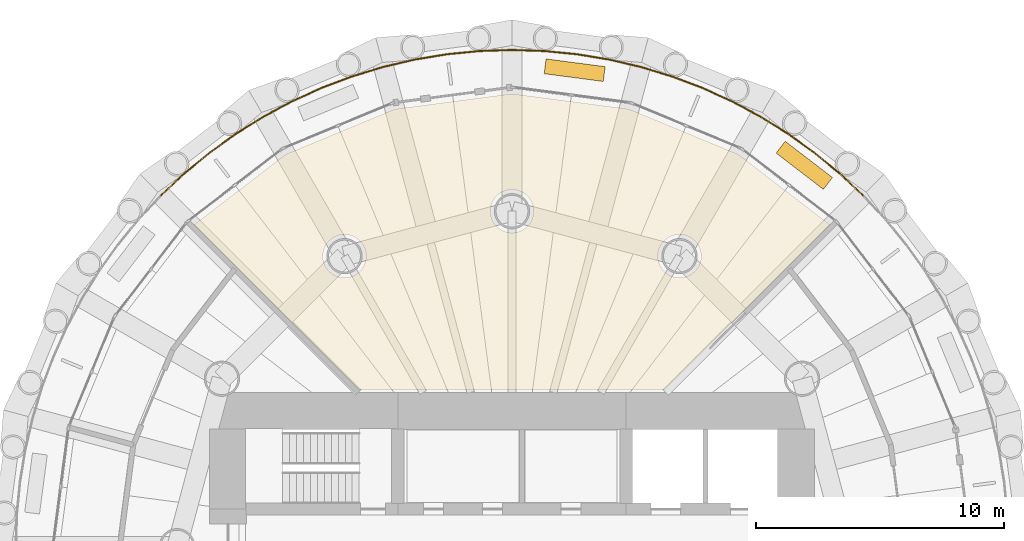
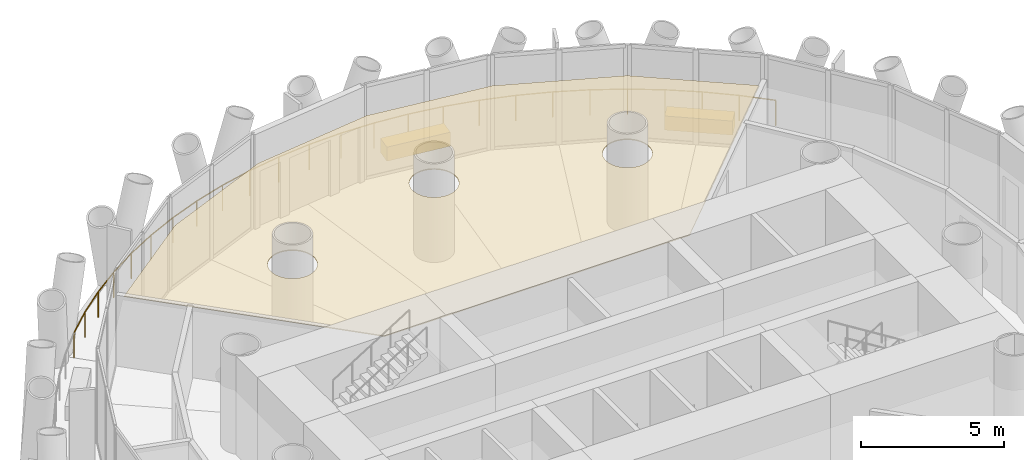
# One storey, part 12 of 12: 3 coverings, 1 railing.
"""IFC4 building model written with IfcOpenShell, lengths in metres."""

import ifcopenshell
import ifcopenshell.guid

model = None  # the IFC model being written
_history = None  # IfcOwnerHistory: only IFC2X3 demands one
_inside = {}  # id of a spatial element -> (the spatial element, [elements in it])
_under = {}  # id of a project, library or spatial element -> (it, [spatial elements below it])
_declared = {}  # id of a project -> (the project, [libraries it declares])
_typed = {}  # id of a type object -> (the type object, [elements of that type])
_made_of = {}  # id of a material, layer set ... -> (it, [elements and type objects made of it])


def new_model(schema):
    """Start an empty IFC model of exactly this schema.

    Asked for "IFC4X3", IfcOpenShell would pick the latest addendum, in which some entities
    have other attributes; the version numbers below select the first issue.
    IFC2X3 requires an IfcOwnerHistory on every rooted entity: one is made here for all.
    """
    global model, _history
    if schema == "IFC4X3":
        model = ifcopenshell.file(schema_version=(4, 3, 0, 0))
    else:
        model = ifcopenshell.file(schema=schema)
    _inside.clear()
    _under.clear()
    _declared.clear()
    _typed.clear()
    _made_of.clear()
    _history = None
    if model.schema == "IFC2X3":
        org = make("IfcOrganization", Name="unknown")
        user = make(
            "IfcPersonAndOrganization",
            ThePerson=make("IfcPerson", FamilyName="unknown"),
            TheOrganization=org,
        )
        app = make(
            "IfcApplication",
            ApplicationDeveloper=org,
            Version="unknown",
            ApplicationFullName="unknown",
            ApplicationIdentifier="unknown",
        )
        _history = make(
            "IfcOwnerHistory",
            OwningUser=user,
            OwningApplication=app,
            ChangeAction="ADDED",
            CreationDate=0,
        )
    return model


def make(cls, **values):
    """One entity of the class cls with the attributes given. An attribute that is None is left unset."""
    return model.create_entity(
        cls, **{name: value for name, value in values.items() if value is not None}
    )


def rooted(cls, **values):
    """An entity with a GlobalId (a new one), such as an element, a storey or a relation."""
    return make(cls, GlobalId=ifcopenshell.guid.new(), OwnerHistory=_history, **values)


def si_unit(unit_type, name, prefix=None):
    """IfcSIUnit, for example si_unit("LENGTHUNIT", "METRE", prefix="MILLI")."""
    return make("IfcSIUnit", UnitType=unit_type, Prefix=prefix, Name=name)


def assignment(units):
    """IfcUnitAssignment: the units of a project."""
    return None if units is None else make("IfcUnitAssignment", Units=units)


def point(xyz):
    """IfcCartesianPoint."""
    return None if xyz is None else make("IfcCartesianPoint", Coordinates=xyz)


def direction(xyz):
    """IfcDirection."""
    return None if xyz is None else make("IfcDirection", DirectionRatios=xyz)


def frame(location, z_axis=None, x_axis=None):
    """IfcAxis2Placement3D, a coordinate frame: its origin and axes. An axis left out is left unset."""
    return make(
        "IfcAxis2Placement3D",
        Location=point(location),
        Axis=direction(z_axis),
        RefDirection=direction(x_axis),
    )


def frame_2d(location, x_axis=None):
    """IfcAxis2Placement2D, a coordinate frame in the plane: its origin and x axis."""
    return make(
        "IfcAxis2Placement2D", Location=point(location), RefDirection=direction(x_axis)
    )


def origin():
    """The frame at (0, 0, 0) with its axes left unset."""
    return frame((0.0, 0.0, 0.0))


def origin_2d():
    """The frame at (0, 0) in the plane with its x axis left unset."""
    return frame_2d((0.0, 0.0))


def place(relative_to, where):
    """IfcLocalPlacement: puts the frame where relative to a parent placement (None: the world)."""
    return make(
        "IfcLocalPlacement", PlacementRelTo=relative_to, RelativePlacement=where
    )


def context(
    kind, dimensions, precision=None, world=None, true_north=None, identifier=None
):
    """IfcGeometricRepresentationContext, for example the 3D "Model" context."""
    return make(
        "IfcGeometricRepresentationContext",
        ContextIdentifier=identifier,
        ContextType=kind,
        CoordinateSpaceDimension=dimensions,
        Precision=precision,
        WorldCoordinateSystem=world,
        TrueNorth=true_north,
    )


def subcontext(parent, identifier, kind, view, scale=None):
    """IfcGeometricRepresentationSubContext, for example "Body" below "Model"."""
    return make(
        "IfcGeometricRepresentationSubContext",
        ContextIdentifier=identifier,
        ContextType=kind,
        ParentContext=parent,
        TargetScale=scale,
        TargetView=view,
    )


def project(units=None, contexts=None):
    """IfcProject with its units and contexts."""
    return rooted(
        "IfcProject",
        Name="project",
        RepresentationContexts=contexts,
        UnitsInContext=assignment(units),
    )


def spatial(cls, under=None, at=None, **own):
    """A site, building, storey or space (cls), placed at a placement, below another one or the project."""
    s = rooted(cls, ObjectPlacement=at, **own)
    if under is not None:
        _under.setdefault(under.id(), (under, []))[1].append(s)
    return s


def polyline(points):
    """IfcPolyline through the points."""
    return make("IfcPolyline", Points=[point(p) for p in points])


def profile(cls, at=None, kind="AREA", **sizes):
    """A parametric profile (cls). Its sizes go by their IFC names, for example OverallWidth=200.0."""
    return make(cls, ProfileType=kind, Position=at, **sizes)


def rectangle(**sizes):
    """IfcRectangleProfileDef."""
    return profile("IfcRectangleProfileDef", **sizes)


def circle(**sizes):
    """IfcCircleProfileDef."""
    return profile("IfcCircleProfileDef", **sizes)


def outline(outer, holes=None, kind="AREA"):
    """IfcArbitraryClosedProfileDef: a profile drawn as a closed curve; with holes, ...WithVoids."""
    if holes is None:
        return make("IfcArbitraryClosedProfileDef", ProfileType=kind, OuterCurve=outer)
    return make(
        "IfcArbitraryProfileDefWithVoids",
        ProfileType=kind,
        OuterCurve=outer,
        InnerCurves=holes,
    )


def extrude(swept, where, along, depth):
    """IfcExtrudedAreaSolid: the profile swept, set in the frame where, extruded along a direction by depth."""
    return make(
        "IfcExtrudedAreaSolid",
        SweptArea=swept,
        Position=where,
        ExtrudedDirection=direction(along),
        Depth=depth,
    )


def shape(context_of_items, identifier, shape_type, items):
    """IfcShapeRepresentation: the items that make up one representation, for example the "Body"."""
    return make(
        "IfcShapeRepresentation",
        ContextOfItems=context_of_items,
        RepresentationIdentifier=identifier,
        RepresentationType=shape_type,
        Items=items,
    )


def material(Name=None, Category=None):
    """IfcMaterial."""
    return make("IfcMaterial", Name=Name, Category=Category)


def layer(
    of_material, thickness, ventilated=None, Name=None, Category=None, Priority=None
):
    """IfcMaterialLayer: one layer of a wall or slab, of a material (None: an air gap)."""
    return make(
        "IfcMaterialLayer",
        Material=of_material,
        LayerThickness=thickness,
        IsVentilated=ventilated,
        Name=Name,
        Category=Category,
        Priority=Priority,
    )


def layer_set(layers, Name=None):
    """IfcMaterialLayerSet."""
    return make("IfcMaterialLayerSet", MaterialLayers=layers, LayerSetName=Name)


def made_of(thing, what):
    """Note that an element or type object is made of a material, layer set ...; save() writes the relation."""
    if what is not None:
        _made_of.setdefault(what.id(), (what, []))[1].append(thing)
    return thing


def type_object(cls, material=None, **own):
    """A type object (cls), such as IfcWallType, which elements share."""
    return made_of(rooted(cls, **own), material)


def element(
    cls,
    number,
    at=None,
    inside=None,
    cuts=None,
    type_object=None,
    material=None,
    context=None,
    identifier="Body",
    shape_type=None,
    held_by="IfcProductDefinitionShape",
    body=None,
    shapes=None,
    **own,
):
    """One element of the class cls, such as IfcWall. Its Tag is "e" and its number.

    at: its placement. inside: the storey or other place that contains it. cuts: it is an
    opening in that element (IfcRelVoidsElement). A single representation is given by context,
    identifier, shape_type and body (its items); several are given by shapes. held_by: the class
    of the entity that holds the representations. save() writes the other relations.
    """
    e = rooted(cls, Tag="e%d" % number, ObjectPlacement=at, **own)
    if body is not None:
        shapes = [shape(context, identifier, shape_type, body)]
    if shapes is not None:
        e.Representation = make(held_by, Representations=shapes)
    if inside is not None:
        _inside.setdefault(inside.id(), (inside, []))[1].append(e)
    if cuts is not None:
        rooted(
            "IfcRelVoidsElement", RelatingBuildingElement=cuts, RelatedOpeningElement=e
        )
    if type_object is not None:
        _typed.setdefault(type_object.id(), (type_object, []))[1].append(e)
    return made_of(e, material)


def aggregate(whole, parts):
    """IfcRelAggregates: a whole, such as a stair, and the parts it consists of."""
    return rooted("IfcRelAggregates", RelatingObject=whole, RelatedObjects=parts)


def save(model, path):
    """Write the relations noted so far, then the file.

    IfcRelAggregates (storeys below a building ...), IfcRelContainedInSpatialStructure (elements
    in a storey), IfcRelDefinesByType, IfcRelAssociatesMaterial and IfcRelDeclares: one each for
    every whole, place, type object, material and project.
    """
    for whole, parts in _under.values():
        aggregate(whole, parts)
    for where, things in _inside.values():
        rooted(
            "IfcRelContainedInSpatialStructure",
            RelatedElements=things,
            RelatingStructure=where,
        )
    for kind, things in _typed.values():
        rooted("IfcRelDefinesByType", RelatedObjects=things, RelatingType=kind)
    for what, things in _made_of.values():
        rooted("IfcRelAssociatesMaterial", RelatedObjects=things, RelatingMaterial=what)
    for by, libraries in _declared.values():
        rooted("IfcRelDeclares", RelatingContext=by, RelatedDefinitions=libraries)
    model.write(path)


model = new_model("IFC4")

# Units and contexts
model_context = context("Model", 3, precision=1e-05, world=origin(), true_north=direction((0.0, 1.0)))
body_context = subcontext(model_context, "Body", "Model", "MODEL_VIEW")
ifc_project = project(units=[si_unit("LENGTHUNIT", "METRE"), si_unit("AREAUNIT", "SQUARE_METRE"), si_unit("VOLUMEUNIT", "CUBIC_METRE"), si_unit("PLANEANGLEUNIT", "RADIAN"), si_unit("MASSUNIT", "GRAM", prefix="KILO")], contexts=[model_context])

# Site, building, storey
site_placement = place(None, origin())
site = spatial("IfcSite", under=ifc_project, at=site_placement, CompositionType="ELEMENT")
building_placement = place(site_placement, origin())
building = spatial("IfcBuilding", under=site, at=building_placement, Name="Qaws Media Tower", CompositionType="ELEMENT")
storey_placement = place(building_placement, frame((0.0, 0.0, 278.0)))
storey = spatial("IfcBuildingStorey", under=building, at=storey_placement, Name="L64", CompositionType="ELEMENT", Elevation=278.0)

# Covering
ifc_material_1 = material(Name="40 perforated acoustic panels with mineral wool backing, suspended", Category="mineral fibre")
ifc_layer_1 = layer(ifc_material_1, 0.0400390625)
ifc_layer_set_1 = layer_set([ifc_layer_1], Name="Acoustic panel ceiling 40")
covering_type_1 = type_object("IfcCoveringType", Name="Acoustic panel ceiling 40", PredefinedType="CEILING", material=ifc_layer_set_1)
covering_placement = place(storey_placement, frame((0.0, 0.0, 2.85009765625)))
element("IfcCovering", 1, at=covering_placement, inside=storey, type_object=covering_type_1, Name="CL3 ceiling L64-03 Executive dining room", PredefinedType="CEILING", context=body_context, shape_type="SweptSolid", body=[
    extrude(outline(polyline([(50.88232421875, 65.792236328125), (55.280517578125, 67.614013671875), (60.0, 68.235107421875), (64.719482421875, 67.614013671875), (69.11767578125, 65.792236328125), (72.80419921875, 62.96337890625), (66.1533203125, 56.3125), (53.8466796875, 56.3125), (47.19580078125, 62.96337890625), (50.88232421875, 65.792236328125)]), holes=[polyline([(54.0546875, 61.35791015625), (54.09130859375, 61.4658203125), (54.113525390625, 61.57763671875), (54.12109375, 61.69140625), (54.113525390625, 61.804931640625), (54.09130859375, 61.916748046875), (54.0546875, 62.024658203125), (54.00439453125, 62.126708984375), (53.94091796875, 62.2216796875), (53.865966796875, 62.30712890625), (53.7802734375, 62.38232421875), (53.685546875, 62.44580078125), (53.583251953125, 62.49609375), (53.475341796875, 62.53271484375), (53.36376953125, 62.554931640625), (53.25, 62.562255859375), (53.13623046875, 62.554931640625), (53.024658203125, 62.53271484375), (52.916748046875, 62.49609375), (52.814453125, 62.44580078125), (52.7197265625, 62.38232421875), (52.634033203125, 62.30712890625), (52.55908203125, 62.2216796875), (52.49560546875, 62.126708984375), (52.4453125, 62.024658203125), (52.40869140625, 61.916748046875), (52.386474609375, 61.804931640625), (52.37890625, 61.69140625), (52.386474609375, 61.57763671875), (52.40869140625, 61.4658203125), (52.4453125, 61.35791015625), (52.49560546875, 61.255859375), (52.55908203125, 61.1611328125), (52.634033203125, 61.075439453125), (52.7197265625, 61.000244140625), (52.814453125, 60.93701171875), (52.916748046875, 60.88671875), (53.024658203125, 60.85009765625), (53.13623046875, 60.827880859375), (53.25, 60.8203125), (53.36376953125, 60.827880859375), (53.475341796875, 60.85009765625), (53.583251953125, 60.88671875), (53.685546875, 60.93701171875), (53.7802734375, 61.000244140625), (53.865966796875, 61.075439453125), (53.94091796875, 61.1611328125), (54.00439453125, 61.255859375), (54.0546875, 61.35791015625)]), polyline([(60.8046875, 63.166748046875), (60.84130859375, 63.274658203125), (60.863525390625, 63.38623046875), (60.87109375, 63.5), (60.863525390625, 63.61376953125), (60.84130859375, 63.725341796875), (60.8046875, 63.833251953125), (60.75439453125, 63.935546875), (60.69091796875, 64.0302734375), (60.615966796875, 64.115966796875), (60.5302734375, 64.19091796875), (60.435546875, 64.25439453125), (60.333251953125, 64.3046875), (60.225341796875, 64.34130859375), (60.11376953125, 64.363525390625), (60.0, 64.37109375), (59.88623046875, 64.363525390625), (59.774658203125, 64.34130859375), (59.666748046875, 64.3046875), (59.564453125, 64.25439453125), (59.4697265625, 64.19091796875), (59.384033203125, 64.115966796875), (59.30908203125, 64.0302734375), (59.24560546875, 63.935546875), (59.1953125, 63.833251953125), (59.15869140625, 63.725341796875), (59.136474609375, 63.61376953125), (59.12890625, 63.5), (59.136474609375, 63.38623046875), (59.15869140625, 63.274658203125), (59.1953125, 63.166748046875), (59.24560546875, 63.064453125), (59.30908203125, 62.9697265625), (59.384033203125, 62.884033203125), (59.4697265625, 62.80908203125), (59.564453125, 62.74560546875), (59.666748046875, 62.6953125), (59.774658203125, 62.65869140625), (59.88623046875, 62.636474609375), (60.0, 62.62890625), (60.11376953125, 62.636474609375), (60.225341796875, 62.65869140625), (60.333251953125, 62.6953125), (60.435546875, 62.74560546875), (60.5302734375, 62.80908203125), (60.615966796875, 62.884033203125), (60.69091796875, 62.9697265625), (60.75439453125, 63.064453125), (60.8046875, 63.166748046875)]), polyline([(67.5546875, 61.35791015625), (67.59130859375, 61.4658203125), (67.613525390625, 61.57763671875), (67.62109375, 61.69140625), (67.613525390625, 61.804931640625), (67.59130859375, 61.916748046875), (67.5546875, 62.024658203125), (67.50439453125, 62.126708984375), (67.44091796875, 62.2216796875), (67.365966796875, 62.30712890625), (67.2802734375, 62.38232421875), (67.185546875, 62.44580078125), (67.083251953125, 62.49609375), (66.975341796875, 62.53271484375), (66.86376953125, 62.554931640625), (66.75, 62.562255859375), (66.63623046875, 62.554931640625), (66.524658203125, 62.53271484375), (66.416748046875, 62.49609375), (66.314453125, 62.44580078125), (66.2197265625, 62.38232421875), (66.134033203125, 62.30712890625), (66.05908203125, 62.2216796875), (65.99560546875, 62.126708984375), (65.9453125, 62.024658203125), (65.90869140625, 61.916748046875), (65.886474609375, 61.804931640625), (65.87890625, 61.69140625), (65.886474609375, 61.57763671875), (65.90869140625, 61.4658203125), (65.9453125, 61.35791015625), (65.99560546875, 61.255859375), (66.05908203125, 61.1611328125), (66.134033203125, 61.075439453125), (66.2197265625, 61.000244140625), (66.314453125, 60.93701171875), (66.416748046875, 60.88671875), (66.524658203125, 60.85009765625), (66.63623046875, 60.827880859375), (66.75, 60.8203125), (66.86376953125, 60.827880859375), (66.975341796875, 60.85009765625), (67.083251953125, 60.88671875), (67.185546875, 60.93701171875), (67.2802734375, 61.000244140625), (67.365966796875, 61.075439453125), (67.44091796875, 61.1611328125), (67.50439453125, 61.255859375), (67.5546875, 61.35791015625)])]), origin(), (0.0, 0.0, 1.0), 0.039794921875),
])

# Railing
ifc_material_2 = material(Name="Stainless steel and glass guard", Category="steel")
railing_type = type_object("IfcRailingType", Name="Balcony guard 1100", PredefinedType="GUARDRAIL", material=ifc_material_2)
railing_placement = place(storey_placement, frame((74.14208984375, 64.14208984375, 0.0)))
element("IfcRailing", 2, at=railing_placement, inside=storey, type_object=railing_type, Name="GR1 balcony guard L64-1", PredefinedType="GUARDRAIL", context=body_context, shape_type="SweptSolid", body=[
    extrude(circle(Radius=0.02392578125, at=origin_2d()), frame((0.0, 0.0, 1.076171875), z_axis=(-0.729769860237, 0.683692877753, 0.0), x_axis=(-0.683692877753, -0.729769860237, 0.0)), (0.0, 0.0, 1.0), 1.308837890625),
    extrude(circle(Radius=0.02392578125, at=origin_2d()), frame((-0.955078125, 0.894775390625, 1.076171875), z_axis=(-0.773000657102, 0.634405220754, 0.0), x_axis=(-0.634405220754, -0.773000657102, 0.0)), (0.0, 0.0, 1.0), 1.308837890625),
    extrude(circle(Radius=0.02392578125, at=origin_2d()), frame((-1.966796875, 1.72509765625, 1.076171875), z_axis=(-0.812926043281, 0.582366936008, 0.0), x_axis=(-0.582366936008, -0.812926043281, 0.0)), (0.0, 0.0, 1.0), 1.308837890625),
    extrude(circle(Radius=0.02392578125, at=origin_2d()), frame((-3.03076171875, 2.4873046875, 1.076171875), z_axis=(-0.849170014358, 0.528119576153, 0.0), x_axis=(-0.528119576153, -0.849170014358, 0.0)), (0.0, 0.0, 1.0), 1.308837890625),
    extrude(circle(Radius=0.02392578125, at=origin_2d()), frame((-4.14208984375, 3.178466796875, 1.076171875), z_axis=(-0.881934342677, 0.471372268178, 0.0), x_axis=(-0.471372268178, -0.881934342677, 0.0)), (0.0, 0.0, 1.0), 1.308837890625),
    extrude(circle(Radius=0.02392578125, at=origin_2d()), frame((-5.29638671875, 3.79541015625, 1.076171875), z_axis=(-0.910895975938, 0.412636063644, 0.0), x_axis=(-0.412636063644, -0.910895975938, 0.0)), (0.0, 0.0, 1.0), 1.308837890625),
    extrude(circle(Radius=0.02392578125, at=origin_2d()), frame((-6.488525390625, 4.33544921875, 1.076171875), z_axis=(-0.935860724756, 0.352370123393, 0.0), x_axis=(-0.352370123393, -0.935860724756, 0.0)), (0.0, 0.0, 1.0), 1.308837890625),
    extrude(circle(Radius=0.02392578125, at=origin_2d()), frame((-7.71337890625, 4.796630859375, 1.076171875), z_axis=(-0.95694906595, 0.290255896027, 0.0), x_axis=(-0.290255896027, -0.95694906595, 0.0)), (0.0, 0.0, 1.0), 1.308837890625),
    extrude(circle(Radius=0.02392578125, at=origin_2d()), frame((-8.9658203125, 5.176513671875, 1.076171875), z_axis=(-0.973882478368, 0.227052677428, 0.0), x_axis=(-0.227052677428, -0.973882478368, 0.0)), (0.0, 0.0, 1.0), 1.30859375),
    extrude(circle(Radius=0.02392578125, at=origin_2d()), frame((-10.240234375, 5.4736328125, 1.076171875), z_axis=(-0.986649850374, 0.162855987782, 0.0), x_axis=(-0.162855987782, -0.986649850374, 0.0)), (0.0, 0.0, 1.0), 1.308837890625),
    extrude(circle(Radius=0.02392578125, at=origin_2d()), frame((-11.531494140625, 5.686767578125, 1.076171875), z_axis=(-0.995174743622, 0.098118447075, 0.0), x_axis=(-0.098118447075, -0.995174743622, 0.0)), (0.0, 0.0, 1.0), 1.308837890625),
    extrude(circle(Radius=0.02392578125, at=origin_2d()), frame((-12.833984375, 5.815185546875, 1.076171875), z_axis=(-0.999467041511, 0.032644033644, 0.0), x_axis=(-0.032644033644, -0.999467041511, 0.0)), (0.0, 0.0, 1.0), 1.308837890625),
    extrude(circle(Radius=0.02392578125, at=origin_2d()), frame((-14.14208984375, 5.85791015625, 1.076171875), z_axis=(-0.999467041511, -0.032644033644, 0.0), x_axis=(0.032644033644, -0.999467041511, 0.0)), (0.0, 0.0, 1.0), 1.308837890625),
    extrude(circle(Radius=0.02392578125, at=origin_2d()), frame((-15.4501953125, 5.815185546875, 1.076171875), z_axis=(-0.995174743622, -0.098118447075, 0.0), x_axis=(0.098118447075, -0.995174743622, 0.0)), (0.0, 0.0, 1.0), 1.308837890625),
    extrude(circle(Radius=0.02392578125, at=origin_2d()), frame((-16.752685546875, 5.686767578125, 1.076171875), z_axis=(-0.986649850374, -0.162855987782, 0.0), x_axis=(0.162855987782, -0.986649850374, 0.0)), (0.0, 0.0, 1.0), 1.308837890625),
    extrude(circle(Radius=0.02392578125, at=origin_2d()), frame((-18.0439453125, 5.4736328125, 1.076171875), z_axis=(-0.973882478368, -0.227052677428, 0.0), x_axis=(0.227052677428, -0.973882478368, 0.0)), (0.0, 0.0, 1.0), 1.30859375),
    extrude(circle(Radius=0.02392578125, at=origin_2d()), frame((-19.318359375, 5.176513671875, 1.076171875), z_axis=(-0.95694906595, -0.290255896027, 0.0), x_axis=(0.290255896027, -0.95694906595, 0.0)), (0.0, 0.0, 1.0), 1.308837890625),
    extrude(circle(Radius=0.02392578125, at=origin_2d()), frame((-20.57080078125, 4.796630859375, 1.076171875), z_axis=(-0.935860724756, -0.352370123393, 0.0), x_axis=(0.352370123393, -0.935860724756, 0.0)), (0.0, 0.0, 1.0), 1.308837890625),
    extrude(circle(Radius=0.02392578125, at=origin_2d()), frame((-21.795654296875, 4.33544921875, 1.076171875), z_axis=(-0.910895975938, -0.412636063644, 0.0), x_axis=(0.412636063644, -0.910895975938, 0.0)), (0.0, 0.0, 1.0), 1.308837890625),
    extrude(circle(Radius=0.02392578125, at=origin_2d()), frame((-22.98779296875, 3.79541015625, 1.076171875), z_axis=(-0.881934342677, -0.471372268178, 0.0), x_axis=(0.471372268178, -0.881934342677, 0.0)), (0.0, 0.0, 1.0), 1.308837890625),
    extrude(circle(Radius=0.02392578125, at=origin_2d()), frame((-24.14208984375, 3.178466796875, 1.076171875), z_axis=(-0.849170014358, -0.528119576153, 0.0), x_axis=(0.528119576153, -0.849170014358, 0.0)), (0.0, 0.0, 1.0), 1.308837890625),
    extrude(circle(Radius=0.02392578125, at=origin_2d()), frame((-25.25341796875, 2.4873046875, 1.076171875), z_axis=(-0.812926043281, -0.582366936008, 0.0), x_axis=(0.582366936008, -0.812926043281, 0.0)), (0.0, 0.0, 1.0), 1.308837890625),
    extrude(circle(Radius=0.02392578125, at=origin_2d()), frame((-26.3173828125, 1.72509765625, 1.076171875), z_axis=(-0.773000657102, -0.634405220754, 0.0), x_axis=(0.634405220754, -0.773000657102, 0.0)), (0.0, 0.0, 1.0), 1.308837890625),
    extrude(circle(Radius=0.02392578125, at=origin_2d()), frame((-27.3291015625, 0.894775390625, 1.076171875), z_axis=(-0.729769860237, -0.683692877753, 0.0), x_axis=(0.683692877753, -0.729769860237, 0.0)), (0.0, 0.0, 1.0), 1.308837890625),
    extrude(circle(Radius=0.02099609375, at=origin_2d()), origin(), (0.0, 0.0, 1.0), 1.052001953125),
    extrude(circle(Radius=0.02099609375, at=origin_2d()), frame((-0.955078125, 0.894775390625, 0.0)), (0.0, 0.0, 1.0), 1.052001953125),
    extrude(circle(Radius=0.02099609375, at=origin_2d()), frame((-1.966796875, 1.72509765625, 0.0)), (0.0, 0.0, 1.0), 1.052001953125),
    extrude(circle(Radius=0.02099609375, at=origin_2d()), frame((-3.03076171875, 2.4873046875, 0.0)), (0.0, 0.0, 1.0), 1.052001953125),
    extrude(circle(Radius=0.02099609375, at=origin_2d()), frame((-4.14208984375, 3.178466796875, 0.0)), (0.0, 0.0, 1.0), 1.052001953125),
    extrude(circle(Radius=0.02099609375, at=origin_2d()), frame((-5.29638671875, 3.79541015625, 0.0)), (0.0, 0.0, 1.0), 1.052001953125),
    extrude(circle(Radius=0.02099609375, at=origin_2d()), frame((-6.488525390625, 4.33544921875, 0.0)), (0.0, 0.0, 1.0), 1.052001953125),
    extrude(circle(Radius=0.02099609375, at=origin_2d()), frame((-7.71337890625, 4.796630859375, 0.0)), (0.0, 0.0, 1.0), 1.052001953125),
    extrude(circle(Radius=0.02099609375, at=origin_2d()), frame((-8.9658203125, 5.176513671875, 0.0)), (0.0, 0.0, 1.0), 1.052001953125),
    extrude(circle(Radius=0.02099609375, at=origin_2d()), frame((-10.240234375, 5.4736328125, 0.0)), (0.0, 0.0, 1.0), 1.052001953125),
    extrude(circle(Radius=0.02099609375, at=origin_2d()), frame((-11.531494140625, 5.686767578125, 0.0)), (0.0, 0.0, 1.0), 1.052001953125),
    extrude(circle(Radius=0.02099609375, at=origin_2d()), frame((-12.833984375, 5.815185546875, 0.0)), (0.0, 0.0, 1.0), 1.052001953125),
    extrude(circle(Radius=0.02099609375, at=origin_2d()), frame((-14.14208984375, 5.85791015625, 0.0)), (0.0, 0.0, 1.0), 1.052001953125),
    extrude(circle(Radius=0.02099609375, at=origin_2d()), frame((-15.4501953125, 5.815185546875, 0.0)), (0.0, 0.0, 1.0), 1.052001953125),
    extrude(circle(Radius=0.02099609375, at=origin_2d()), frame((-16.752685546875, 5.686767578125, 0.0)), (0.0, 0.0, 1.0), 1.052001953125),
    extrude(circle(Radius=0.02099609375, at=origin_2d()), frame((-18.0439453125, 5.4736328125, 0.0)), (0.0, 0.0, 1.0), 1.052001953125),
    extrude(circle(Radius=0.02099609375, at=origin_2d()), frame((-19.318359375, 5.176513671875, 0.0)), (0.0, 0.0, 1.0), 1.052001953125),
    extrude(circle(Radius=0.02099609375, at=origin_2d()), frame((-20.57080078125, 4.796630859375, 0.0)), (0.0, 0.0, 1.0), 1.052001953125),
    extrude(circle(Radius=0.02099609375, at=origin_2d()), frame((-21.795654296875, 4.33544921875, 0.0)), (0.0, 0.0, 1.0), 1.052001953125),
    extrude(circle(Radius=0.02099609375, at=origin_2d()), frame((-22.98779296875, 3.79541015625, 0.0)), (0.0, 0.0, 1.0), 1.052001953125),
    extrude(circle(Radius=0.02099609375, at=origin_2d()), frame((-24.14208984375, 3.178466796875, 0.0)), (0.0, 0.0, 1.0), 1.052001953125),
    extrude(circle(Radius=0.02099609375, at=origin_2d()), frame((-25.25341796875, 2.4873046875, 0.0)), (0.0, 0.0, 1.0), 1.052001953125),
    extrude(circle(Radius=0.02099609375, at=origin_2d()), frame((-26.3173828125, 1.72509765625, 0.0)), (0.0, 0.0, 1.0), 1.052001953125),
    extrude(circle(Radius=0.02099609375, at=origin_2d()), frame((-27.3291015625, 0.894775390625, 0.0)), (0.0, 0.0, 1.0), 1.052001953125),
    extrude(circle(Radius=0.02099609375, at=origin_2d()), frame((-28.2841796875, 0.0, 0.0)), (0.0, 0.0, 1.0), 1.052001953125),
])

# Coverings
ifc_material_3 = material(Name="Precast concrete planter with trailing planting", Category="concrete")
ifc_layer_2 = layer(ifc_material_3, 0.60009765625)
ifc_layer_set_2 = layer_set([ifc_layer_2], Name="Planter 2400x600")
covering_type_2 = type_object("IfcCoveringType", Name="Planter 2400x600", PredefinedType="USERDEFINED", material=ifc_layer_set_2)
for number, where, z_axis, x_axis, name in (
    (3, (71.779541015625, 65.351318359375, 0.0), (0.0, 0.0, 1.0), (-0.793353340291, 0.608761429009, 0.0), "PL1 balcony planter L64-02"),
    (4, (62.525634765625, 69.1845703125, 0.0), (0.0, 0.0, 1.0), (-0.991444861374, 0.13052619222, 0.0), "PL1 balcony planter L64-03"),
):
    element("IfcCovering", number, at=place(storey_placement, frame(where, z_axis=z_axis, x_axis=x_axis)), inside=storey, type_object=covering_type_2, Name=name, ObjectType="PLANTER", PredefinedType="USERDEFINED", context=body_context, shape_type="SweptSolid", body=[
        extrude(rectangle(XDim=2.39990234375, YDim=0.60009765625, at=origin_2d()), origin(), (0.0, 0.0, 1.0), 0.60009765625),
    ])

save(model, "model.ifc")
